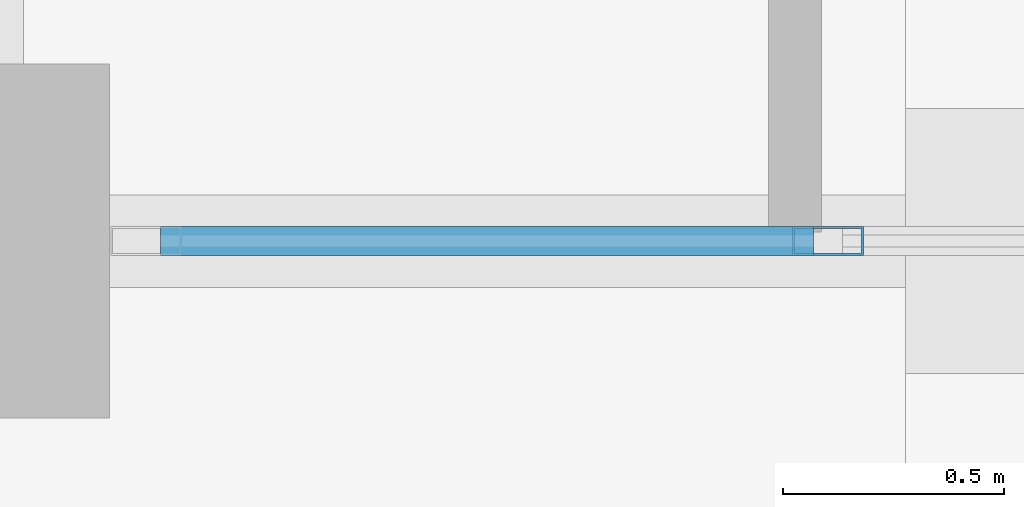
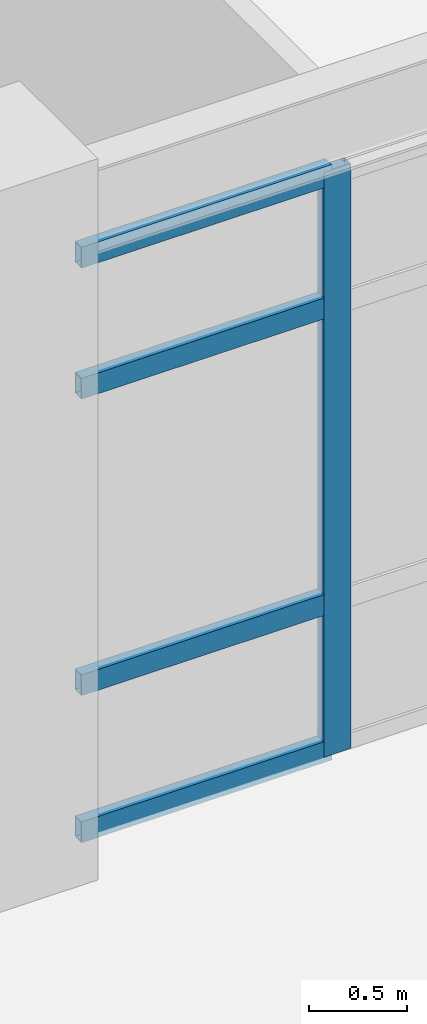
# One storey, part 16 of 154: 5 members, 1 element without a shape of its own.
"""IFC4 building model written with IfcOpenShell, lengths in metres."""

from ifc_helpers import new_model, si_unit, direction, frame, origin, origin_2d, place, context, subcontext, project, spatial, hollow_rectangle, extrude, material, material_profile, profile_set, type_object, element, aggregate, save


model = new_model("IFC4")

# Units and contexts
model_context = context("Model", 3, precision=1e-05, world=origin(), true_north=direction((0.0, 1.0)))
body_context = subcontext(model_context, "Body", "Model", "MODEL_VIEW")
ifc_project = project(units=[si_unit("LENGTHUNIT", "METRE"), si_unit("AREAUNIT", "SQUARE_METRE"), si_unit("VOLUMEUNIT", "CUBIC_METRE"), si_unit("PLANEANGLEUNIT", "RADIAN"), si_unit("MASSUNIT", "GRAM", prefix="KILO")], contexts=[model_context])

# Site, building, storey
site_placement = place(None, origin())
site = spatial("IfcSite", under=ifc_project, at=site_placement, CompositionType="ELEMENT")
building_placement = place(site_placement, origin())
building = spatial("IfcBuilding", under=site, at=building_placement, Name="Kestramere Prow Commons", CompositionType="ELEMENT")
storey_placement = place(building_placement, origin())
storey = spatial("IfcBuildingStorey", under=building, at=storey_placement, Name="L00", CompositionType="ELEMENT", Elevation=0.0)

# Curtain wall, members
ifc_material_1 = material(Name="Anodised Aluminium and Low-E Glass", Category="aluminium")
curtain_wall_type = type_object("IfcCurtainWallType", Name="CW-11 Glazed Curtain Wall 6300x3650", PredefinedType="USERDEFINED", material=ifc_material_1)
curtain_wall_placement = place(storey_placement, origin())
curtain_wall = element("IfcCurtainWall", 1, at=curtain_wall_placement, inside=storey, type_object=curtain_wall_type, Name="Hall South Foyer Curtain Wall 5", ObjectType="GLAZED CURTAIN WALL", PredefinedType="USERDEFINED")
ifc_material_2 = material(Name="Anodised Aluminium 6063-T6", Category="aluminium")
ifc_material_profile_1 = material_profile(ifc_material_2, hollow_rectangle(XDim=0.06494140625, YDim=0.159912109375, WallThickness=0.00390625, at=origin_2d()), Name="ALU-MUL 65x160")
ifc_profile_set_1 = profile_set([ifc_material_profile_1], Name="Anodised Aluminium 6063-T6")
member_type_1 = type_object("IfcMemberType", Name="CW-MUL-65x160", PredefinedType="MULLION", material=ifc_profile_set_1)
member_1_placement = place(storey_placement, frame((32.125, 7.5, 0.0), z_axis=(0.0, 0.0, 1.0), x_axis=(0.0, -1.0, 0.0)))
member_1 = element("IfcMember", 2, at=member_1_placement, type_object=member_type_1, Name="CW-11 mullion 4", PredefinedType="MULLION", context=body_context, shape_type="SweptSolid", body=[
    extrude(hollow_rectangle(XDim=0.06494140625, YDim=0.159912109375, WallThickness=0.00390625, at=origin_2d()), origin(), (0.0, 0.0, 1.0), 3.64990234375),
])
ifc_material_profile_2 = material_profile(ifc_material_2, hollow_rectangle(XDim=0.06494140625, YDim=0.1298828125, WallThickness=0.00390625, at=origin_2d()), Name="ALU-TRN 65x130")
ifc_profile_set_2 = profile_set([ifc_material_profile_2], Name="Anodised Aluminium 6063-T6")
member_type_2 = type_object("IfcMemberType", Name="CW-TRN-65x130", PredefinedType="USERDEFINED", material=ifc_profile_set_2)
member_2_placement = place(storey_placement, frame((32.092529296875, 7.5, 0.032470703125), z_axis=(-1.0, 0.0, 0.0), x_axis=(0.0, -1.0, 0.0)))
member_2 = element("IfcMember", 3, at=member_2_placement, type_object=member_type_2, Name="CW-11 transom 4.1", ObjectType="TRANSOM", PredefinedType="USERDEFINED", context=body_context, shape_type="SweptSolid", body=[
    extrude(hollow_rectangle(XDim=0.06494140625, YDim=0.1298828125, WallThickness=0.00390625, at=origin_2d()), origin(), (0.0, 0.0, 1.0), 1.4775390625),
])
member_3_placement = place(storey_placement, frame((32.092529296875, 7.5, 0.949951171875), z_axis=(-1.0, 0.0, 0.0), x_axis=(0.0, -1.0, 0.0)))
member_3 = element("IfcMember", 4, at=member_3_placement, type_object=member_type_2, Name="CW-11 transom 4.2", ObjectType="TRANSOM", PredefinedType="USERDEFINED", context=body_context, shape_type="SweptSolid", body=[
    extrude(hollow_rectangle(XDim=0.06494140625, YDim=0.1298828125, WallThickness=0.00390625, at=origin_2d()), origin(), (0.0, 0.0, 1.0), 1.4775390625),
])
member_4_placement = place(storey_placement, frame((32.092529296875, 7.5, 2.800048828125), z_axis=(-1.0, 0.0, 0.0), x_axis=(0.0, -1.0, 0.0)))
member_4 = element("IfcMember", 5, at=member_4_placement, type_object=member_type_2, Name="CW-11 transom 4.3", ObjectType="TRANSOM", PredefinedType="USERDEFINED", context=body_context, shape_type="SweptSolid", body=[
    extrude(hollow_rectangle(XDim=0.06494140625, YDim=0.1298828125, WallThickness=0.00390625, at=origin_2d()), origin(), (0.0, 0.0, 1.0), 1.4775390625),
])
member_5_placement = place(storey_placement, frame((32.092529296875, 7.5, 3.617431640625), z_axis=(-1.0, 0.0, 0.0), x_axis=(0.0, -1.0, 0.0)))
member_5 = element("IfcMember", 6, at=member_5_placement, type_object=member_type_2, Name="CW-11 transom 4.4", ObjectType="TRANSOM", PredefinedType="USERDEFINED", context=body_context, shape_type="SweptSolid", body=[
    extrude(hollow_rectangle(XDim=0.06494140625, YDim=0.1298828125, WallThickness=0.00390625, at=origin_2d()), origin(), (0.0, 0.0, 1.0), 1.4775390625),
])
aggregate(curtain_wall, [member_1, member_2, member_3, member_4, member_5])

save(model, "model.ifc")
